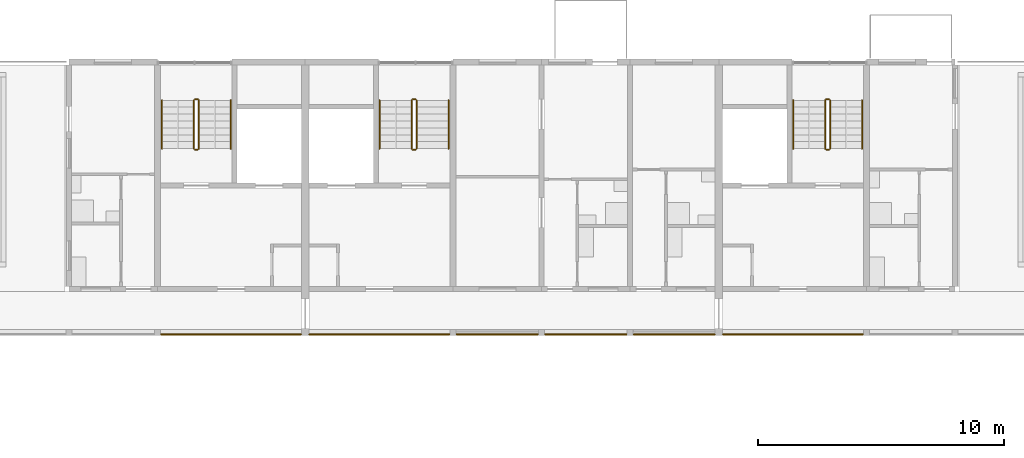
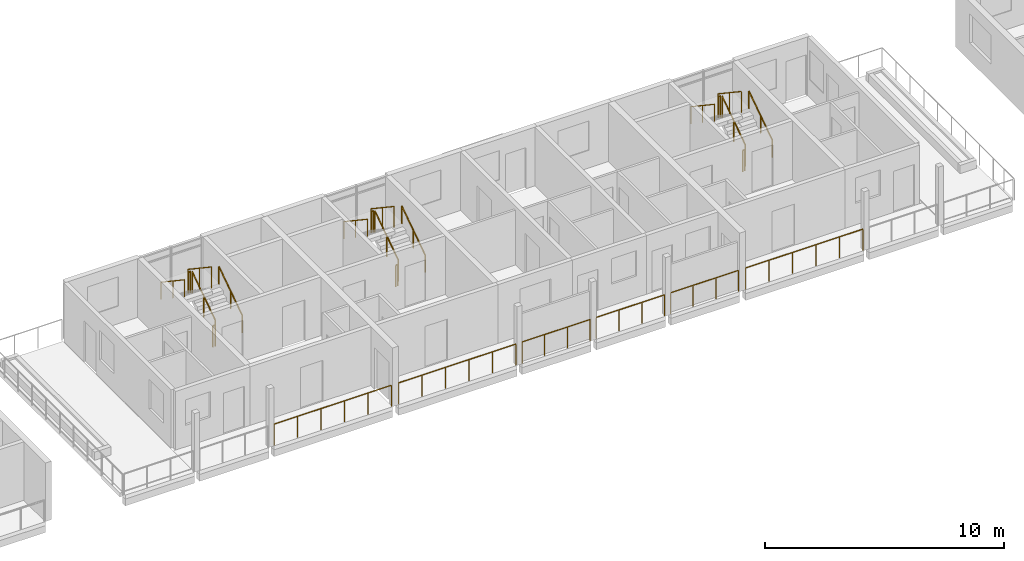
# One storey, part 87 of 94: 24 railings.
"""IFC4 building model written with IfcOpenShell, lengths in metres."""

from ifc_helpers import new_model, si_unit, direction, frame, origin, origin_2d, place, context, subcontext, project, spatial, circle, extrude, material, type_object, element, save


model = new_model("IFC4")

# Units and contexts
model_context = context("Model", 3, precision=1e-05, world=origin(), true_north=direction((0.0, 1.0)))
body_context = subcontext(model_context, "Body", "Model", "MODEL_VIEW")
ifc_project = project(units=[si_unit("LENGTHUNIT", "METRE"), si_unit("AREAUNIT", "SQUARE_METRE"), si_unit("VOLUMEUNIT", "CUBIC_METRE"), si_unit("PLANEANGLEUNIT", "RADIAN"), si_unit("MASSUNIT", "GRAM", prefix="KILO")], contexts=[model_context])

# Site, building, storey
site_placement = place(None, origin())
site = spatial("IfcSite", under=ifc_project, at=site_placement, CompositionType="ELEMENT")
building_placement = place(site_placement, origin())
building = spatial("IfcBuilding", under=site, at=building_placement, Name="Ridgestep Commons", CompositionType="ELEMENT")
storey_placement = place(building_placement, frame((0.0, 0.0, 24.0)))
storey = spatial("IfcBuildingStorey", under=building, at=storey_placement, Name="L08", CompositionType="ELEMENT", Elevation=24.0)

# Railings
ifc_material_1 = material(Name="Structural steel S355JR", Category="steel")
railing_type_1 = type_object("IfcRailingType", Name="Guard 1100", PredefinedType="GUARDRAIL", material=ifc_material_1)
railing_1_placement = place(storey_placement, frame((174.5458984375, 66.050048828125, 0.0)))
element("IfcRailing", 1, at=railing_1_placement, inside=storey, type_object=railing_type_1, Name="Gallery guard C 08.3", PredefinedType="GUARDRAIL", context=body_context, shape_type="SweptSolid", body=[
    extrude(circle(Radius=0.02392578125, at=origin_2d()), frame((0.0, 0.0, 1.076171875), z_axis=(1.0, 0.0, 0.0), x_axis=(0.0, 1.0, 0.0)), (0.0, 0.0, 1.0), 5.68310546875),
    extrude(circle(Radius=0.02099609375, at=origin_2d()), origin(), (0.0, 0.0, 1.0), 1.052001953125),
    extrude(circle(Radius=0.02099609375, at=origin_2d()), frame((1.13671875, 0.0, 0.0)), (0.0, 0.0, 1.0), 1.052001953125),
    extrude(circle(Radius=0.02099609375, at=origin_2d()), frame((2.273193359375, 0.0, 0.0)), (0.0, 0.0, 1.0), 1.052001953125),
    extrude(circle(Radius=0.02099609375, at=origin_2d()), frame((3.409912109375, 0.0, 0.0)), (0.0, 0.0, 1.0), 1.052001953125),
    extrude(circle(Radius=0.02099609375, at=origin_2d()), frame((4.54638671875, 0.0, 0.0)), (0.0, 0.0, 1.0), 1.052001953125),
    extrude(circle(Radius=0.02099609375, at=origin_2d()), frame((5.68310546875, 0.0, 0.0)), (0.0, 0.0, 1.0), 1.052001953125),
])
railing_2_placement = place(storey_placement, frame((180.571044921875, 66.050048828125, 0.0)))
element("IfcRailing", 2, at=railing_2_placement, inside=storey, type_object=railing_type_1, Name="Gallery guard C 08.4", PredefinedType="GUARDRAIL", context=body_context, shape_type="SweptSolid", body=[
    extrude(circle(Radius=0.02392578125, at=origin_2d()), frame((0.0, 0.0, 1.076171875), z_axis=(1.0, 0.0, 0.0), x_axis=(0.0, 1.0, 0.0)), (0.0, 0.0, 1.0), 5.682861328125),
    extrude(circle(Radius=0.02099609375, at=origin_2d()), origin(), (0.0, 0.0, 1.0), 1.052001953125),
    extrude(circle(Radius=0.02099609375, at=origin_2d()), frame((1.136474609375, 0.0, 0.0)), (0.0, 0.0, 1.0), 1.052001953125),
    extrude(circle(Radius=0.02099609375, at=origin_2d()), frame((2.273193359375, 0.0, 0.0)), (0.0, 0.0, 1.0), 1.052001953125),
    extrude(circle(Radius=0.02099609375, at=origin_2d()), frame((3.40966796875, 0.0, 0.0)), (0.0, 0.0, 1.0), 1.052001953125),
    extrude(circle(Radius=0.02099609375, at=origin_2d()), frame((4.54638671875, 0.0, 0.0)), (0.0, 0.0, 1.0), 1.052001953125),
    extrude(circle(Radius=0.02099609375, at=origin_2d()), frame((5.682861328125, 0.0, 0.0)), (0.0, 0.0, 1.0), 1.052001953125),
])
for number, where, name in (
    (3, (186.5458984375, 66.050048828125, 0.0), "Gallery guard C 08.5"),
    (4, (190.14599609375, 66.050048828125, 0.0), "Gallery guard C 08.6"),
):
    element("IfcRailing", number, at=place(storey_placement, frame(where)), inside=storey, type_object=railing_type_1, Name=name, PredefinedType="GUARDRAIL", context=body_context, shape_type="SweptSolid", body=[
        extrude(circle(Radius=0.02392578125, at=origin_2d()), frame((0.0, 0.0, 1.076171875), z_axis=(1.0, 0.0, 0.0), x_axis=(0.0, 1.0, 0.0)), (0.0, 0.0, 1.0), 3.30810546875),
        extrude(circle(Radius=0.02099609375, at=origin_2d()), origin(), (0.0, 0.0, 1.0), 1.052001953125),
        extrude(circle(Radius=0.02099609375, at=origin_2d()), frame((1.102783203125, 0.0, 0.0)), (0.0, 0.0, 1.0), 1.052001953125),
        extrude(circle(Radius=0.02099609375, at=origin_2d()), frame((2.205322265625, 0.0, 0.0)), (0.0, 0.0, 1.0), 1.052001953125),
        extrude(circle(Radius=0.02099609375, at=origin_2d()), frame((3.30810546875, 0.0, 0.0)), (0.0, 0.0, 1.0), 1.052001953125),
    ])
railing_3_placement = place(storey_placement, frame((193.74609375, 66.050048828125, 0.0)))
element("IfcRailing", 5, at=railing_3_placement, inside=storey, type_object=railing_type_1, Name="Gallery guard C 08.7", PredefinedType="GUARDRAIL", context=body_context, shape_type="SweptSolid", body=[
    extrude(circle(Radius=0.02392578125, at=origin_2d()), frame((0.0, 0.0, 1.076171875), z_axis=(1.0, 0.0, 0.0), x_axis=(0.0, 1.0, 0.0)), (0.0, 0.0, 1.0), 3.282958984375),
    extrude(circle(Radius=0.02099609375, at=origin_2d()), origin(), (0.0, 0.0, 1.0), 1.052001953125),
    extrude(circle(Radius=0.02099609375, at=origin_2d()), frame((1.09423828125, 0.0, 0.0)), (0.0, 0.0, 1.0), 1.052001953125),
    extrude(circle(Radius=0.02099609375, at=origin_2d()), frame((2.188720703125, 0.0, 0.0)), (0.0, 0.0, 1.0), 1.052001953125),
    extrude(circle(Radius=0.02099609375, at=origin_2d()), frame((3.282958984375, 0.0, 0.0)), (0.0, 0.0, 1.0), 1.052001953125),
])
railing_4_placement = place(storey_placement, frame((197.37109375, 66.050048828125, 0.0)))
element("IfcRailing", 6, at=railing_4_placement, inside=storey, type_object=railing_type_1, Name="Gallery guard C 08.8", PredefinedType="GUARDRAIL", context=body_context, shape_type="SweptSolid", body=[
    extrude(circle(Radius=0.02392578125, at=origin_2d()), frame((0.0, 0.0, 1.076171875), z_axis=(1.0, 0.0, 0.0), x_axis=(0.0, 1.0, 0.0)), (0.0, 0.0, 1.0), 5.682861328125),
    extrude(circle(Radius=0.02099609375, at=origin_2d()), origin(), (0.0, 0.0, 1.0), 1.052001953125),
    extrude(circle(Radius=0.02099609375, at=origin_2d()), frame((1.136474609375, 0.0, 0.0)), (0.0, 0.0, 1.0), 1.052001953125),
    extrude(circle(Radius=0.02099609375, at=origin_2d()), frame((2.273193359375, 0.0, 0.0)), (0.0, 0.0, 1.0), 1.052001953125),
    extrude(circle(Radius=0.02099609375, at=origin_2d()), frame((3.40966796875, 0.0, 0.0)), (0.0, 0.0, 1.0), 1.052001953125),
    extrude(circle(Radius=0.02099609375, at=origin_2d()), frame((4.54638671875, 0.0, 0.0)), (0.0, 0.0, 1.0), 1.052001953125),
    extrude(circle(Radius=0.02099609375, at=origin_2d()), frame((5.682861328125, 0.0, 0.0)), (0.0, 0.0, 1.0), 1.052001953125),
])
ifc_material_2 = material(Name="Structural steel S355JR", Category="steel")
railing_type_2 = type_object("IfcRailingType", Name="Stair guard 1100", PredefinedType="GUARDRAIL", material=ifc_material_2)
railing_5_placement = place(storey_placement, frame((176.074951171875, 73.60009765625, 0.1875)))
element("IfcRailing", 7, at=railing_5_placement, inside=storey, type_object=railing_type_2, Name="L08 C2C stair guard 1", PredefinedType="GUARDRAIL", context=body_context, shape_type="SweptSolid", body=[
    extrude(circle(Radius=0.02392578125, at=origin_2d()), frame((0.0, 0.0, 1.076171875), z_axis=(0.0, 0.830902050051, 0.556418712142), x_axis=(-1.0, 0.0, 0.0)), (0.0, 0.0, 1.0), 2.35888671875),
    extrude(circle(Radius=0.02099609375, at=origin_2d()), origin(), (0.0, 0.0, 1.0), 1.052001953125),
    extrude(circle(Radius=0.02099609375, at=origin_2d()), frame((0.0, 0.97998046875, 0.65625)), (0.0, 0.0, 1.0), 1.052001953125),
    extrude(circle(Radius=0.02099609375, at=origin_2d()), frame((0.0, 1.9599609375, 1.3125)), (0.0, 0.0, 1.0), 1.052001953125),
])
railing_6_placement = place(storey_placement, frame((176.02490234375, 75.610107421875, 1.5)))
element("IfcRailing", 8, at=railing_6_placement, inside=storey, type_object=railing_type_2, Name="L08 C2C stair guard 2", PredefinedType="GUARDRAIL", context=body_context, shape_type="SweptSolid", body=[
    extrude(circle(Radius=0.02392578125, at=origin_2d()), frame((0.0, 0.0, 1.076171875), z_axis=(-1.0, 0.0, 0.0), x_axis=(0.0, -1.0, 0.0)), (0.0, 0.0, 1.0), 0.099853515625),
    extrude(circle(Radius=0.02099609375, at=origin_2d()), origin(), (0.0, 0.0, 1.0), 1.052001953125),
    extrude(circle(Radius=0.02099609375, at=origin_2d()), frame((-0.099853515625, 0.0, 0.0)), (0.0, 0.0, 1.0), 1.052001953125),
])
railing_7_placement = place(storey_placement, frame((175.875, 75.56005859375, 1.6875)))
element("IfcRailing", 9, at=railing_7_placement, inside=storey, type_object=railing_type_2, Name="L08 C2C stair guard 3", PredefinedType="GUARDRAIL", context=body_context, shape_type="SweptSolid", body=[
    extrude(circle(Radius=0.02392578125, at=origin_2d()), frame((0.0, 0.0, 1.076171875), z_axis=(0.0, -0.830902050051, 0.556418712142), x_axis=(1.0, 0.0, 0.0)), (0.0, 0.0, 1.0), 2.35888671875),
    extrude(circle(Radius=0.02099609375, at=origin_2d()), origin(), (0.0, 0.0, 1.0), 1.052001953125),
    extrude(circle(Radius=0.02099609375, at=origin_2d()), frame((0.0, -0.97998046875, 0.65625)), (0.0, 0.0, 1.0), 1.052001953125),
    extrude(circle(Radius=0.02099609375, at=origin_2d()), frame((0.0, -1.9599609375, 1.3125)), (0.0, 0.0, 1.0), 1.052001953125),
])
railing_8_placement = place(storey_placement, frame((176.02490234375, 73.550048828125, 0.0)))
element("IfcRailing", 10, at=railing_8_placement, inside=storey, type_object=railing_type_2, Name="L08 C2C stair guard 4", PredefinedType="GUARDRAIL", context=body_context, shape_type="SweptSolid", body=[
    extrude(circle(Radius=0.02392578125, at=origin_2d()), frame((0.0, 0.0, 1.076171875), z_axis=(-1.0, 0.0, 0.0), x_axis=(0.0, -1.0, 0.0)), (0.0, 0.0, 1.0), 0.099853515625),
    extrude(circle(Radius=0.02099609375, at=origin_2d()), origin(), (0.0, 0.0, 1.0), 1.052001953125),
    extrude(circle(Radius=0.02099609375, at=origin_2d()), frame((-0.099853515625, 0.0, 0.0)), (0.0, 0.0, 1.0), 1.052001953125),
])
railing_9_placement = place(storey_placement, frame((184.925048828125, 73.60009765625, 0.1875)))
element("IfcRailing", 11, at=railing_9_placement, inside=storey, type_object=railing_type_2, Name="L08 C3C stair guard 1", PredefinedType="GUARDRAIL", context=body_context, shape_type="SweptSolid", body=[
    extrude(circle(Radius=0.02392578125, at=origin_2d()), frame((0.0, 0.0, 1.076171875), z_axis=(0.0, 0.830902050051, 0.556418712142), x_axis=(-1.0, 0.0, 0.0)), (0.0, 0.0, 1.0), 2.35888671875),
    extrude(circle(Radius=0.02099609375, at=origin_2d()), origin(), (0.0, 0.0, 1.0), 1.052001953125),
    extrude(circle(Radius=0.02099609375, at=origin_2d()), frame((0.0, 0.97998046875, 0.65625)), (0.0, 0.0, 1.0), 1.052001953125),
    extrude(circle(Radius=0.02099609375, at=origin_2d()), frame((0.0, 1.9599609375, 1.3125)), (0.0, 0.0, 1.0), 1.052001953125),
])
railing_10_placement = place(storey_placement, frame((184.875, 75.610107421875, 1.5)))
element("IfcRailing", 12, at=railing_10_placement, inside=storey, type_object=railing_type_2, Name="L08 C3C stair guard 2", PredefinedType="GUARDRAIL", context=body_context, shape_type="SweptSolid", body=[
    extrude(circle(Radius=0.02392578125, at=origin_2d()), frame((0.0, 0.0, 1.076171875), z_axis=(-1.0, 0.0, 0.0), x_axis=(0.0, -1.0, 0.0)), (0.0, 0.0, 1.0), 0.10009765625),
    extrude(circle(Radius=0.02099609375, at=origin_2d()), origin(), (0.0, 0.0, 1.0), 1.052001953125),
    extrude(circle(Radius=0.02099609375, at=origin_2d()), frame((-0.10009765625, 0.0, 0.0)), (0.0, 0.0, 1.0), 1.052001953125),
])
railing_11_placement = place(storey_placement, frame((184.72509765625, 75.56005859375, 1.6875)))
element("IfcRailing", 13, at=railing_11_placement, inside=storey, type_object=railing_type_2, Name="L08 C3C stair guard 3", PredefinedType="GUARDRAIL", context=body_context, shape_type="SweptSolid", body=[
    extrude(circle(Radius=0.02392578125, at=origin_2d()), frame((0.0, 0.0, 1.076171875), z_axis=(0.0, -0.830902050051, 0.556418712142), x_axis=(1.0, 0.0, 0.0)), (0.0, 0.0, 1.0), 2.35888671875),
    extrude(circle(Radius=0.02099609375, at=origin_2d()), origin(), (0.0, 0.0, 1.0), 1.052001953125),
    extrude(circle(Radius=0.02099609375, at=origin_2d()), frame((0.0, -0.97998046875, 0.65625)), (0.0, 0.0, 1.0), 1.052001953125),
    extrude(circle(Radius=0.02099609375, at=origin_2d()), frame((0.0, -1.9599609375, 1.3125)), (0.0, 0.0, 1.0), 1.052001953125),
])
railing_12_placement = place(storey_placement, frame((184.875, 73.550048828125, 0.0)))
element("IfcRailing", 14, at=railing_12_placement, inside=storey, type_object=railing_type_2, Name="L08 C3C stair guard 4", PredefinedType="GUARDRAIL", context=body_context, shape_type="SweptSolid", body=[
    extrude(circle(Radius=0.02392578125, at=origin_2d()), frame((0.0, 0.0, 1.076171875), z_axis=(-1.0, 0.0, 0.0), x_axis=(0.0, -1.0, 0.0)), (0.0, 0.0, 1.0), 0.10009765625),
    extrude(circle(Radius=0.02099609375, at=origin_2d()), origin(), (0.0, 0.0, 1.0), 1.052001953125),
    extrude(circle(Radius=0.02099609375, at=origin_2d()), frame((-0.10009765625, 0.0, 0.0)), (0.0, 0.0, 1.0), 1.052001953125),
])
railing_13_placement = place(storey_placement, frame((201.72509765625, 73.60009765625, 0.1875)))
element("IfcRailing", 15, at=railing_13_placement, inside=storey, type_object=railing_type_2, Name="L08 C4C stair guard 1", PredefinedType="GUARDRAIL", context=body_context, shape_type="SweptSolid", body=[
    extrude(circle(Radius=0.02392578125, at=origin_2d()), frame((0.0, 0.0, 1.076171875), z_axis=(0.0, 0.830902050051, 0.556418712142), x_axis=(-1.0, 0.0, 0.0)), (0.0, 0.0, 1.0), 2.35888671875),
    extrude(circle(Radius=0.02099609375, at=origin_2d()), origin(), (0.0, 0.0, 1.0), 1.052001953125),
    extrude(circle(Radius=0.02099609375, at=origin_2d()), frame((0.0, 0.97998046875, 0.65625)), (0.0, 0.0, 1.0), 1.052001953125),
    extrude(circle(Radius=0.02099609375, at=origin_2d()), frame((0.0, 1.9599609375, 1.3125)), (0.0, 0.0, 1.0), 1.052001953125),
])
railing_14_placement = place(storey_placement, frame((201.675048828125, 75.610107421875, 1.5)))
element("IfcRailing", 16, at=railing_14_placement, inside=storey, type_object=railing_type_2, Name="L08 C4C stair guard 2", PredefinedType="GUARDRAIL", context=body_context, shape_type="SweptSolid", body=[
    extrude(circle(Radius=0.02392578125, at=origin_2d()), frame((0.0, 0.0, 1.076171875), z_axis=(-1.0, 0.0, 0.0), x_axis=(0.0, -1.0, 0.0)), (0.0, 0.0, 1.0), 0.10009765625),
    extrude(circle(Radius=0.02099609375, at=origin_2d()), origin(), (0.0, 0.0, 1.0), 1.052001953125),
    extrude(circle(Radius=0.02099609375, at=origin_2d()), frame((-0.10009765625, 0.0, 0.0)), (0.0, 0.0, 1.0), 1.052001953125),
])
railing_15_placement = place(storey_placement, frame((201.52490234375, 75.56005859375, 1.6875)))
element("IfcRailing", 17, at=railing_15_placement, inside=storey, type_object=railing_type_2, Name="L08 C4C stair guard 3", PredefinedType="GUARDRAIL", context=body_context, shape_type="SweptSolid", body=[
    extrude(circle(Radius=0.02392578125, at=origin_2d()), frame((0.0, 0.0, 1.076171875), z_axis=(0.0, -0.830902050051, 0.556418712142), x_axis=(1.0, 0.0, 0.0)), (0.0, 0.0, 1.0), 2.35888671875),
    extrude(circle(Radius=0.02099609375, at=origin_2d()), origin(), (0.0, 0.0, 1.0), 1.052001953125),
    extrude(circle(Radius=0.02099609375, at=origin_2d()), frame((0.0, -0.97998046875, 0.65625)), (0.0, 0.0, 1.0), 1.052001953125),
    extrude(circle(Radius=0.02099609375, at=origin_2d()), frame((0.0, -1.9599609375, 1.3125)), (0.0, 0.0, 1.0), 1.052001953125),
])
railing_16_placement = place(storey_placement, frame((201.675048828125, 73.550048828125, 0.0)))
element("IfcRailing", 18, at=railing_16_placement, inside=storey, type_object=railing_type_2, Name="L08 C4C stair guard 4", PredefinedType="GUARDRAIL", context=body_context, shape_type="SweptSolid", body=[
    extrude(circle(Radius=0.02392578125, at=origin_2d()), frame((0.0, 0.0, 1.076171875), z_axis=(-1.0, 0.0, 0.0), x_axis=(0.0, -1.0, 0.0)), (0.0, 0.0, 1.0), 0.10009765625),
    extrude(circle(Radius=0.02099609375, at=origin_2d()), origin(), (0.0, 0.0, 1.0), 1.052001953125),
    extrude(circle(Radius=0.02099609375, at=origin_2d()), frame((-0.10009765625, 0.0, 0.0)), (0.0, 0.0, 1.0), 1.052001953125),
])
ifc_material_3 = material(Name="Structural steel S355JR", Category="steel")
railing_type_3 = type_object("IfcRailingType", Name="Stair handrail 900", PredefinedType="HANDRAIL", material=ifc_material_3)
railing_17_placement = place(storey_placement, frame((177.375, 73.60009765625, 0.1875)))
element("IfcRailing", 19, at=railing_17_placement, inside=storey, type_object=railing_type_3, Name="L08 C2C stair handrail 1", PredefinedType="HANDRAIL", context=body_context, shape_type="SweptSolid", body=[
    extrude(circle(Radius=0.02392578125, at=origin_2d()), frame((0.0, 0.0, 0.8759765625), z_axis=(0.0, 0.830902050051, 0.556418712142), x_axis=(-1.0, 0.0, 0.0)), (0.0, 0.0, 1.0), 2.35888671875),
    extrude(circle(Radius=0.02099609375, at=origin_2d()), origin(), (0.0, 0.0, 1.0), 0.851806640625),
    extrude(circle(Radius=0.02099609375, at=origin_2d()), frame((0.0, 0.97998046875, 0.65625)), (0.0, 0.0, 1.0), 0.851806640625),
    extrude(circle(Radius=0.02099609375, at=origin_2d()), frame((0.0, 1.9599609375, 1.3125)), (0.0, 0.0, 1.0), 0.851806640625),
])
railing_18_placement = place(storey_placement, frame((174.574951171875, 75.56005859375, 1.6875)))
element("IfcRailing", 20, at=railing_18_placement, inside=storey, type_object=railing_type_3, Name="L08 C2C stair handrail 2", PredefinedType="HANDRAIL", context=body_context, shape_type="SweptSolid", body=[
    extrude(circle(Radius=0.02392578125, at=origin_2d()), frame((0.0, 0.0, 0.8759765625), z_axis=(0.0, -0.830902050051, 0.556418712142), x_axis=(1.0, 0.0, 0.0)), (0.0, 0.0, 1.0), 2.35888671875),
    extrude(circle(Radius=0.02099609375, at=origin_2d()), origin(), (0.0, 0.0, 1.0), 0.851806640625),
    extrude(circle(Radius=0.02099609375, at=origin_2d()), frame((0.0, -0.97998046875, 0.65625)), (0.0, 0.0, 1.0), 0.851806640625),
    extrude(circle(Radius=0.02099609375, at=origin_2d()), frame((0.0, -1.9599609375, 1.3125)), (0.0, 0.0, 1.0), 0.851806640625),
])
railing_19_placement = place(storey_placement, frame((186.22509765625, 73.60009765625, 0.1875)))
element("IfcRailing", 21, at=railing_19_placement, inside=storey, type_object=railing_type_3, Name="L08 C3C stair handrail 1", PredefinedType="HANDRAIL", context=body_context, shape_type="SweptSolid", body=[
    extrude(circle(Radius=0.02392578125, at=origin_2d()), frame((0.0, 0.0, 0.8759765625), z_axis=(0.0, 0.830902050051, 0.556418712142), x_axis=(-1.0, 0.0, 0.0)), (0.0, 0.0, 1.0), 2.35888671875),
    extrude(circle(Radius=0.02099609375, at=origin_2d()), origin(), (0.0, 0.0, 1.0), 0.851806640625),
    extrude(circle(Radius=0.02099609375, at=origin_2d()), frame((0.0, 0.97998046875, 0.65625)), (0.0, 0.0, 1.0), 0.851806640625),
    extrude(circle(Radius=0.02099609375, at=origin_2d()), frame((0.0, 1.9599609375, 1.3125)), (0.0, 0.0, 1.0), 0.851806640625),
])
railing_20_placement = place(storey_placement, frame((183.425048828125, 75.56005859375, 1.6875)))
element("IfcRailing", 22, at=railing_20_placement, inside=storey, type_object=railing_type_3, Name="L08 C3C stair handrail 2", PredefinedType="HANDRAIL", context=body_context, shape_type="SweptSolid", body=[
    extrude(circle(Radius=0.02392578125, at=origin_2d()), frame((0.0, 0.0, 0.8759765625), z_axis=(0.0, -0.830902050051, 0.556418712142), x_axis=(1.0, 0.0, 0.0)), (0.0, 0.0, 1.0), 2.35888671875),
    extrude(circle(Radius=0.02099609375, at=origin_2d()), origin(), (0.0, 0.0, 1.0), 0.851806640625),
    extrude(circle(Radius=0.02099609375, at=origin_2d()), frame((0.0, -0.97998046875, 0.65625)), (0.0, 0.0, 1.0), 0.851806640625),
    extrude(circle(Radius=0.02099609375, at=origin_2d()), frame((0.0, -1.9599609375, 1.3125)), (0.0, 0.0, 1.0), 0.851806640625),
])
railing_21_placement = place(storey_placement, frame((203.02490234375, 73.60009765625, 0.1875)))
element("IfcRailing", 23, at=railing_21_placement, inside=storey, type_object=railing_type_3, Name="L08 C4C stair handrail 1", PredefinedType="HANDRAIL", context=body_context, shape_type="SweptSolid", body=[
    extrude(circle(Radius=0.02392578125, at=origin_2d()), frame((0.0, 0.0, 0.8759765625), z_axis=(0.0, 0.830902050051, 0.556418712142), x_axis=(-1.0, 0.0, 0.0)), (0.0, 0.0, 1.0), 2.35888671875),
    extrude(circle(Radius=0.02099609375, at=origin_2d()), origin(), (0.0, 0.0, 1.0), 0.851806640625),
    extrude(circle(Radius=0.02099609375, at=origin_2d()), frame((0.0, 0.97998046875, 0.65625)), (0.0, 0.0, 1.0), 0.851806640625),
    extrude(circle(Radius=0.02099609375, at=origin_2d()), frame((0.0, 1.9599609375, 1.3125)), (0.0, 0.0, 1.0), 0.851806640625),
])
railing_22_placement = place(storey_placement, frame((200.22509765625, 75.56005859375, 1.6875)))
element("IfcRailing", 24, at=railing_22_placement, inside=storey, type_object=railing_type_3, Name="L08 C4C stair handrail 2", PredefinedType="HANDRAIL", context=body_context, shape_type="SweptSolid", body=[
    extrude(circle(Radius=0.02392578125, at=origin_2d()), frame((0.0, 0.0, 0.8759765625), z_axis=(0.0, -0.830902050051, 0.556418712142), x_axis=(1.0, 0.0, 0.0)), (0.0, 0.0, 1.0), 2.35888671875),
    extrude(circle(Radius=0.02099609375, at=origin_2d()), origin(), (0.0, 0.0, 1.0), 0.851806640625),
    extrude(circle(Radius=0.02099609375, at=origin_2d()), frame((0.0, -0.97998046875, 0.65625)), (0.0, 0.0, 1.0), 0.851806640625),
    extrude(circle(Radius=0.02099609375, at=origin_2d()), frame((0.0, -1.9599609375, 1.3125)), (0.0, 0.0, 1.0), 0.851806640625),
])

save(model, "model.ifc")
